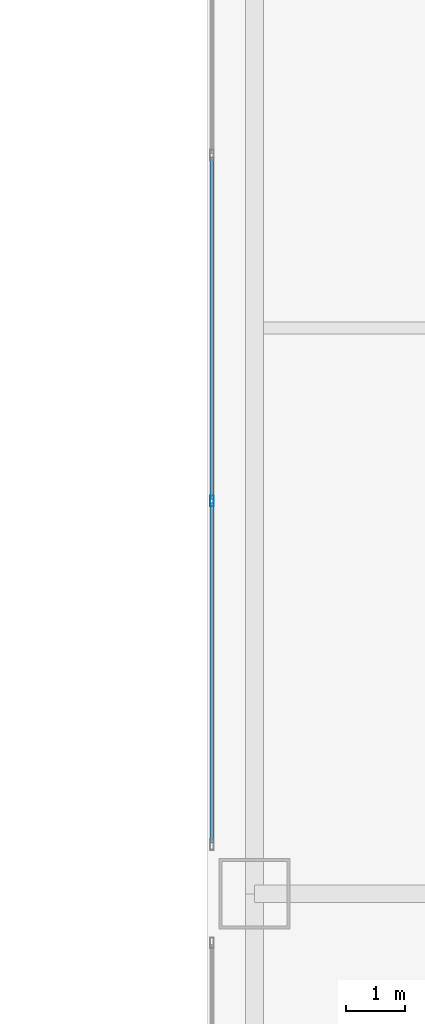
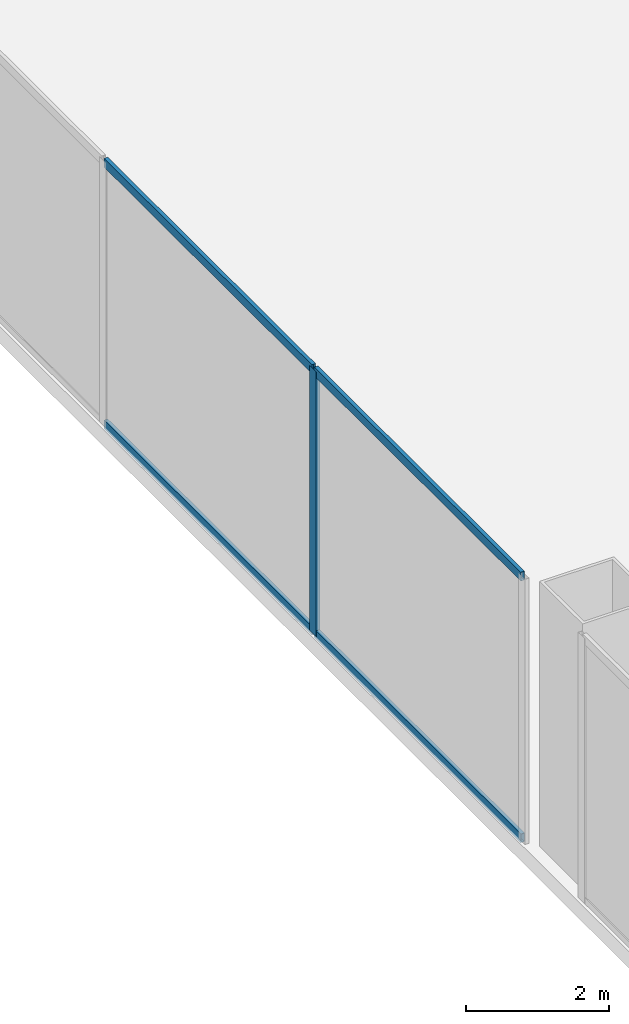
# One storey, part 32 of 58: 5 members, 1 element without a shape of its own.
"""IFC4 building model written with IfcOpenShell, lengths in metres."""

from ifc_helpers import new_model, si_unit, direction, frame, origin, origin_2d, place, context, subcontext, project, spatial, hollow_rectangle, extrude, source, transform, mapped, material, layer, layer_set, material_profile, profile_set, type_object, element, aggregate, save


model = new_model("IFC4")

# Units and contexts
model_context = context("Model", 3, precision=1e-05, world=origin(), true_north=direction((0.0, 1.0)))
body_context = subcontext(model_context, "Body", "Model", "MODEL_VIEW")
ifc_project = project(units=[si_unit("LENGTHUNIT", "METRE"), si_unit("AREAUNIT", "SQUARE_METRE"), si_unit("VOLUMEUNIT", "CUBIC_METRE"), si_unit("PLANEANGLEUNIT", "RADIAN"), si_unit("MASSUNIT", "GRAM", prefix="KILO"), si_unit("THERMODYNAMICTEMPERATUREUNIT", "KELVIN"), si_unit("POWERUNIT", "WATT")], contexts=[model_context])

# Site, building, storey
site_placement = place(None, origin())
site = spatial("IfcSite", under=ifc_project, at=site_placement, CompositionType="ELEMENT")
building_placement = place(site_placement, origin())
building = spatial("IfcBuilding", under=site, at=building_placement, Name="Yunzhuo Pagoda Commons", CompositionType="ELEMENT")
storey_placement = place(building_placement, origin())
storey = spatial("IfcBuildingStorey", under=building, at=storey_placement, Name="L01", CompositionType="ELEMENT", Elevation=0.0)

# Curtain wall, members
ifc_material = material(Name="Anodized aluminium 6063-T6", Category="aluminium")
ifc_layer = layer(ifc_material, 0.179931640625)
ifc_layer_set = layer_set([ifc_layer], Name="Anodized aluminium 6063-T6")
curtain_wall_type = type_object("IfcCurtainWallType", Name="CW-POD Waterfront Podium Curtain Wall", PredefinedType="NOTDEFINED", material=ifc_layer_set)
curtain_wall_placement = place(storey_placement, origin())
curtain_wall = element("IfcCurtainWall", 1, at=curtain_wall_placement, inside=storey, type_object=curtain_wall_type, Name="L01 curtain wall CW-L01-W4", PredefinedType="NOTDEFINED")
ifc_material_profile_1 = material_profile(ifc_material, hollow_rectangle(XDim=0.06494140625, YDim=0.179931640625, WallThickness=0.00390625, at=origin_2d()), Name="Anodized aluminium 6063-T6")
ifc_profile_set_1 = profile_set([ifc_material_profile_1], Name="Anodized aluminium 6063-T6")
member_type_1 = type_object("IfcMemberType", Name="CW-POD-M Mullion RHS 180x65x4", PredefinedType="MULLION", material=ifc_profile_set_1)
shared_shape_1 = source(origin(), body_context, "Body", "SweptSolid", [
    extrude(hollow_rectangle(XDim=0.06494140625, YDim=0.179931640625, WallThickness=0.00390625, at=origin_2d()), origin(), (0.0, 0.0, 1.0), 4.520263671875),
])
member_1_placement = place(storey_placement, frame((4.080078125, 68.666748046875, 0.0), z_axis=(0.0, 0.0, 1.0), x_axis=(-1.0, 0.0, 0.0)))
member_1 = element("IfcMember", 2, at=member_1_placement, type_object=member_type_1, Name="CW mullion 2", PredefinedType="MULLION", context=body_context, shape_type="MappedRepresentation", body=[
    mapped(shared_shape_1, transform((0.0, 0.0, 0.0), scale=1.0)),
])
ifc_material_profile_2 = material_profile(ifc_material, hollow_rectangle(XDim=0.06005859375, YDim=0.14990234375, WallThickness=0.00390625, at=origin_2d()), Name="Anodized aluminium 6063-T6")
ifc_profile_set_2 = profile_set([ifc_material_profile_2], Name="Anodized aluminium 6063-T6")
member_type_2 = type_object("IfcMemberType", Name="CW-POD-T Transom RHS 150x60x4", PredefinedType="USERDEFINED", material=ifc_profile_set_2)
shared_shape_2 = source(origin(), body_context, "Body", "SweptSolid", [
    extrude(hollow_rectangle(XDim=0.06005859375, YDim=0.14990234375, WallThickness=0.00390625, at=origin_2d()), origin(), (0.0, 0.0, 1.0), 5.769287109375),
])
member_2_placement = place(storey_placement, frame((4.080078125, 62.864990234375, 0.030029296875), z_axis=(0.0, 1.0, 0.0), x_axis=(-1.0, 0.0, 0.0)))
member_2 = element("IfcMember", 3, at=member_2_placement, type_object=member_type_2, Name="CW transom 1.1", ObjectType="TRANSOM", PredefinedType="USERDEFINED", context=body_context, shape_type="MappedRepresentation", body=[
    mapped(shared_shape_2, transform((0.0, 0.0, 0.0), scale=1.0)),
])
member_3_placement = place(storey_placement, frame((4.080078125, 62.864990234375, 4.489990234375), z_axis=(0.0, 1.0, 0.0), x_axis=(-1.0, 0.0, 0.0)))
member_3 = element("IfcMember", 4, at=member_3_placement, type_object=member_type_2, Name="CW transom 1.2", ObjectType="TRANSOM", PredefinedType="USERDEFINED", context=body_context, shape_type="MappedRepresentation", body=[
    mapped(shared_shape_2, transform((0.0, 0.0, 0.0), scale=1.0)),
])
shared_shape_3 = source(origin(), body_context, "Body", "SweptSolid", [
    extrude(hollow_rectangle(XDim=0.06005859375, YDim=0.14990234375, WallThickness=0.00390625, at=origin_2d()), origin(), (0.0, 0.0, 1.0), 5.801513671875),
])
member_4_placement = place(storey_placement, frame((4.080078125, 68.69921875, 0.030029296875), z_axis=(0.0, 1.0, 0.0), x_axis=(-1.0, 0.0, 0.0)))
member_4 = element("IfcMember", 5, at=member_4_placement, type_object=member_type_2, Name="CW transom 2.1", ObjectType="TRANSOM", PredefinedType="USERDEFINED", context=body_context, shape_type="MappedRepresentation", body=[
    mapped(shared_shape_3, transform((0.0, 0.0, 0.0), scale=1.0)),
])
member_5_placement = place(storey_placement, frame((4.080078125, 68.69921875, 4.489990234375), z_axis=(0.0, 1.0, 0.0), x_axis=(-1.0, 0.0, 0.0)))
member_5 = element("IfcMember", 6, at=member_5_placement, type_object=member_type_2, Name="CW transom 2.2", ObjectType="TRANSOM", PredefinedType="USERDEFINED", context=body_context, shape_type="MappedRepresentation", body=[
    mapped(shared_shape_3, transform((0.0, 0.0, 0.0), scale=1.0)),
])
aggregate(curtain_wall, [member_1, member_2, member_3, member_4, member_5])

save(model, "model.ifc")
